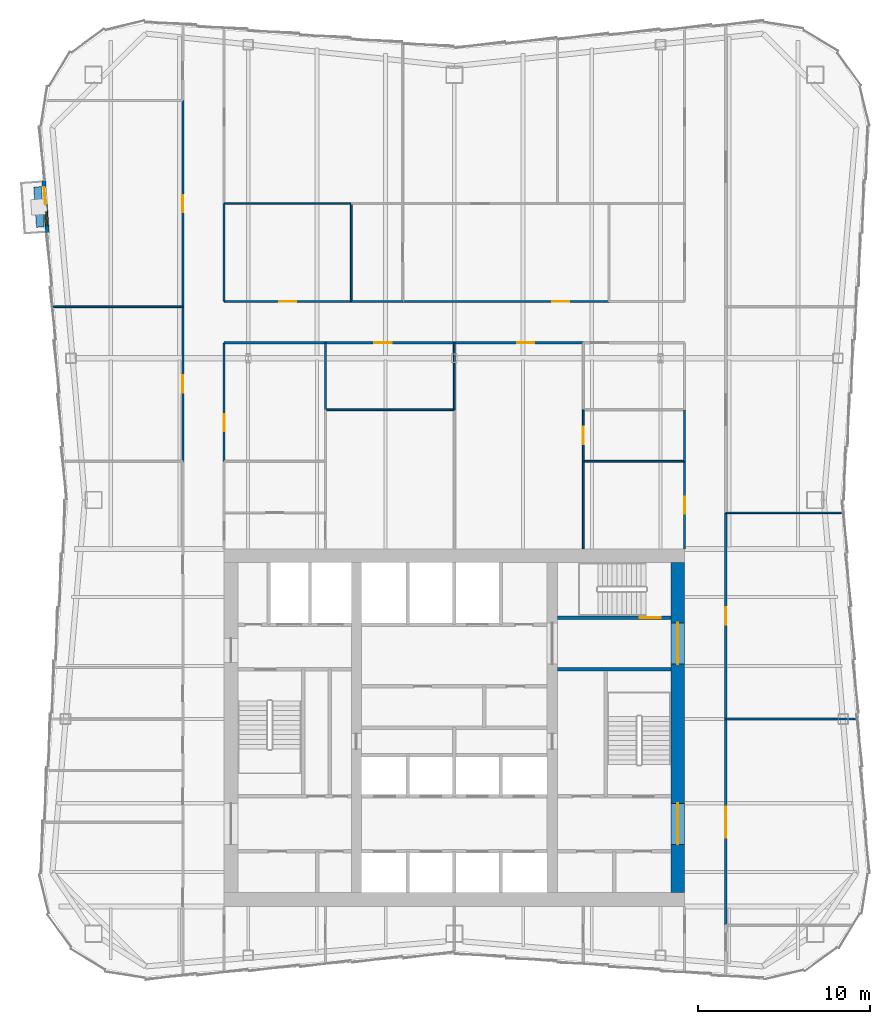
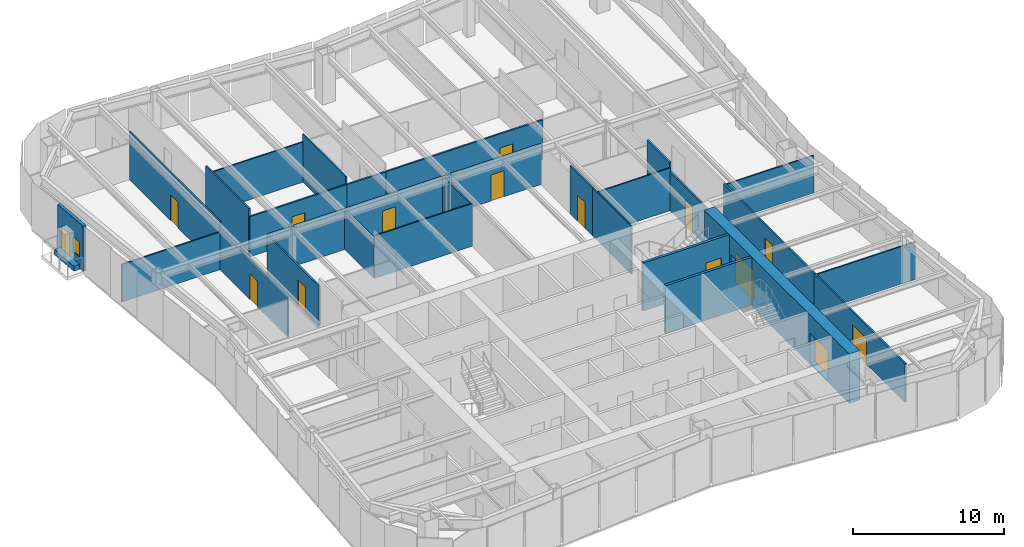
# One storey, part 8 of 11: 30 walls, 15 doors, 1 window, 16 openings.
"""IFC4 building model written with IfcOpenShell, lengths in metres."""

from ifc_helpers import new_model, si_unit, direction, frame, frame_2d, origin, place, context, subcontext, project, spatial, rectangle, extrude, material, layer, layer_set, type_object, element, fill, save


model = new_model("IFC4")

# Units and contexts
model_context = context("Model", 3, precision=1e-05, world=origin(), true_north=direction((0.0, 1.0)))
body_context = subcontext(model_context, "Body", "Model", "MODEL_VIEW")
ifc_project = project(units=[si_unit("LENGTHUNIT", "METRE"), si_unit("AREAUNIT", "SQUARE_METRE"), si_unit("VOLUMEUNIT", "CUBIC_METRE"), si_unit("PLANEANGLEUNIT", "RADIAN"), si_unit("MASSUNIT", "GRAM", prefix="KILO")], contexts=[model_context])

# Site, building, storey
site_placement = place(None, origin())
site = spatial("IfcSite", under=ifc_project, at=site_placement, CompositionType="ELEMENT")
building_placement = place(site_placement, origin())
building = spatial("IfcBuilding", under=site, at=building_placement, Name="Verdant Reach Tower", CompositionType="ELEMENT")
storey_placement = place(building_placement, frame((0.0, 0.0, 258.0)))
storey = spatial("IfcBuildingStorey", under=building, at=storey_placement, Name="L59", CompositionType="ELEMENT", Elevation=258.0)

# Wall
ifc_material_1 = material(Name="Concrete C40/50", Category="concrete")
ifc_layer_1 = layer(ifc_material_1, 0.199951171875)
ifc_layer_set_1 = layer_set([ifc_layer_1], Name="CO-WALL-STAIR")
wall_type_1 = type_object("IfcWallType", Name="CO-WALL-STAIR", PredefinedType="PARTITIONING", material=ifc_layer_set_1)
wall_1_placement = place(storey_placement, frame((6.0, 31.39990234375, 0.0), z_axis=(0.0, 0.0, 1.0), x_axis=(1.0, 0.0, 0.0)))
element("IfcWall", 1, at=wall_1_placement, inside=storey, type_object=wall_type_1, Name="Stair enclosure wall, L59", PredefinedType="PARTITIONING", context=body_context, shape_type="SweptSolid", body=[
    extrude(rectangle(XDim=6.60009765625, YDim=0.199951171875, at=frame_2d((3.300048828125, 0.0))), origin(), (0.0, 0.0, 1.0), 3.8701171875),
])

# Wall, opening, door
wall_2_placement = place(storey_placement, frame((6.0, 34.39990234375, 0.0), z_axis=(0.0, 0.0, 1.0), x_axis=(1.0, 0.0, 0.0)))
wall_2 = element("IfcWall", 2, at=wall_2_placement, inside=storey, type_object=wall_type_1, Name="Stair enclosure wall, L59", PredefinedType="PARTITIONING", context=body_context, shape_type="SweptSolid", body=[
    extrude(rectangle(XDim=6.60009765625, YDim=0.199951171875, at=frame_2d((3.300048828125, 0.0))), origin(), (0.0, 0.0, 1.0), 3.8701171875),
])
opening_1_placement = place(wall_2_placement, frame((4.800048828125, 0.0, 0.0)))
opening_1 = element("IfcOpeningElement", 3, at=opening_1_placement, cuts=wall_2, Name="Opening SD", PredefinedType="OPENING", context=body_context, shape_type="SweptSolid", body=[
    extrude(rectangle(XDim=1.199951171875, YDim=2.199951171875, at=frame_2d((0.60009765625, 1.10009765625))), frame((0.0, 0.10986328125, 0.0), z_axis=(0.0, -1.0, 0.0), x_axis=(1.0, 0.0, 0.0)), (0.0, 0.0, 1.0), 0.219970703125),
])
ifc_material_2 = material(Name="Steel", Category="steel")
door_type_1 = type_object("IfcDoorType", Name="CO-DOOR-STAIR", OperationType="NOTDEFINED", PredefinedType="DOOR", material=ifc_material_2)
door_1_placement = place(opening_1_placement, origin())
door_1 = element("IfcDoor", 4, at=door_1_placement, inside=storey, type_object=door_type_1, Name="Stair door, L59", OperationType="SINGLE_SWING_RIGHT", OverallHeight=2.199951171875, OverallWidth=1.199951171875, PredefinedType="DOOR", context=body_context, shape_type="SweptSolid", body=[
    extrude(rectangle(XDim=1.199951171875, YDim=2.199951171875, at=frame_2d((0.60009765625, 1.10009765625))), frame((0.0, 0.02490234375, 0.0), z_axis=(0.0, -1.0, 0.0), x_axis=(1.0, 0.0, 0.0)), (0.0, 0.0, 1.0), 0.050048828125),
])
fill(opening_1, door_1)

# Wall, openings, door, window
ifc_material_3 = material(Name="Insulated bronze aluminium panel wall", Category="aluminium")
ifc_layer_2 = layer(ifc_material_3, 0.219970703125)
ifc_layer_set_2 = layer_set([ifc_layer_2], Name="EN-INFILL WALL")
wall_type_2 = type_object("IfcWallType", Name="EN-INFILL WALL", PredefinedType="SOLIDWALL", material=ifc_layer_set_2)
wall_3_placement = place(storey_placement, frame((-23.89501953125, 59.851318359375, 0.0), z_axis=(0.0, 0.0, 1.0), x_axis=(0.06875808698, -0.99763336225, 0.0)))
wall_3 = element("IfcWall", 5, at=wall_3_placement, inside=storey, type_object=wall_type_2, Name="External infill wall, balcony bay 1, L59", PredefinedType="SOLIDWALL", context=body_context, shape_type="SweptSolid", body=[
    extrude(rectangle(XDim=3.046630859375, YDim=0.22412109375, at=frame_2d((1.5234375, 0.0))), origin(), (0.0, 0.0, 1.0), 3.64990234375),
])
opening_2_placement = place(wall_3_placement, frame((0.41552734375, 0.0, 0.0)))
opening_2 = element("IfcOpeningElement", 6, at=opening_2_placement, cuts=wall_3, Name="Opening BD1", PredefinedType="OPENING", context=body_context, shape_type="SweptSolid", body=[
    extrude(rectangle(XDim=1.0, YDim=2.10009765625, at=frame_2d((0.5, 1.050048828125))), frame((0.0, 0.1220703125, 0.0), z_axis=(0.0, -1.0, 0.0), x_axis=(1.0, 0.0, 0.0)), (0.0, 0.0, 1.0), 0.244140625),
])
opening_3_placement = place(wall_3_placement, frame((1.8310546875, 0.0, 0.89990234375)))
opening_3 = element("IfcOpeningElement", 7, at=opening_3_placement, cuts=wall_3, Name="Opening BW1", PredefinedType="OPENING", context=body_context, shape_type="SweptSolid", body=[
    extrude(rectangle(XDim=0.800048828125, YDim=1.199951171875, at=frame_2d((0.39990234375, 0.60009765625))), frame((0.0, 0.1220703125, 0.0), z_axis=(0.0, -1.0, 0.0), x_axis=(1.0, 0.0, 0.0)), (0.0, 0.0, 1.0), 0.244140625),
])
ifc_material_4 = material(Name="Aluminium framed glazed door", Category="aluminium")
door_type_2 = type_object("IfcDoorType", Name="EN-DOOR BALCONY", OperationType="NOTDEFINED", PredefinedType="DOOR", material=ifc_material_4)
door_2_placement = place(opening_2_placement, origin())
door_2 = element("IfcDoor", 8, at=door_2_placement, inside=storey, type_object=door_type_2, Name="Balcony door 1, L59", OperationType="SINGLE_SWING_LEFT", OverallHeight=2.10009765625, OverallWidth=1.0, PredefinedType="DOOR", context=body_context, shape_type="SweptSolid", body=[
    extrude(rectangle(XDim=1.0, YDim=2.10009765625, at=frame_2d((0.5, 1.050048828125))), frame((0.0, 0.02490234375, 0.0), z_axis=(0.0, -1.0, 0.0), x_axis=(1.0, 0.0, 0.0)), (0.0, 0.0, 1.0), 0.050048828125),
])
fill(opening_2, door_2)
ifc_material_5 = material(Name="Aluminium framed glazing", Category="aluminium")
window_type = type_object("IfcWindowType", Name="EN-WINDOW BALCONY", PartitioningType="SINGLE_PANEL", PredefinedType="WINDOW", material=ifc_material_5)
window_placement = place(opening_3_placement, origin())
window = element("IfcWindow", 9, at=window_placement, inside=storey, type_object=window_type, Name="Balcony window 1, L59", OverallHeight=1.199951171875, OverallWidth=0.800048828125, PartitioningType="SINGLE_PANEL", PredefinedType="WINDOW", context=body_context, shape_type="SweptSolid", body=[
    extrude(rectangle(XDim=0.800048828125, YDim=1.199951171875, at=frame_2d((0.39990234375, 0.60009765625))), frame((0.0, 0.030029296875, 0.0), z_axis=(0.0, -1.0, 0.0), x_axis=(1.0, 0.0, 0.0)), (0.0, 0.0, 1.0), 0.06005859375),
])
fill(opening_3, window)

# Walls
ifc_material_6 = material(Name="Precast concrete C30/37", Category="concrete")
ifc_layer_3 = layer(ifc_material_6, 0.449951171875)
ifc_layer_set_3 = layer_set([ifc_layer_3], Name="EN-PLANTER")
wall_type_3 = type_object("IfcWallType", Name="EN-PLANTER", PredefinedType="USERDEFINED", material=ifc_layer_set_3)
wall_4_placement = place(storey_placement, frame((-24.257080078125, 59.475341796875, 0.0), z_axis=(0.0, 0.0, 1.0), x_axis=(0.06877709495, -0.997632052016, 0.0)))
element("IfcWall", 10, at=wall_4_placement, inside=storey, type_object=wall_type_3, Name="Balcony planter 1, L59", ObjectType="PLANTER", PredefinedType="USERDEFINED", context=body_context, shape_type="SweptSolid", body=[
    extrude(rectangle(XDim=2.346435546875, YDim=0.449951171875, at=frame_2d((1.17333984375, 0.0))), origin(), (0.0, 0.0, 1.0), 0.39990234375),
])
ifc_material_7 = material(Name="Gypsum board on steel studs", Category="steel")
ifc_layer_4 = layer(ifc_material_7, 0.10009765625)
ifc_layer_set_4 = layer_set([ifc_layer_4], Name="FL-W1 Partition 100")
wall_type_4 = type_object("IfcWallType", Name="FL-W1 Partition 100", PredefinedType="PARTITIONING", material=ifc_layer_set_4)
wall_5_placement = place(storey_placement, frame((-15.800048828125, 52.5, 0.0), z_axis=(0.0, 0.0, 1.0), x_axis=(-1.0, 0.0, 0.0)))
element("IfcWall", 11, at=wall_5_placement, inside=storey, type_object=wall_type_4, Name="Partition 59.39", PredefinedType="PARTITIONING", context=body_context, shape_type="SweptSolid", body=[
    extrude(rectangle(XDim=7.555908203125, YDim=0.10009765625, at=frame_2d((3.77783203125, 0.0))), origin(), (0.0, 0.0, 1.0), 3.0400390625),
])
wall_6_placement = place(storey_placement, frame((23.459228515625, 28.5, 0.0), z_axis=(0.0, 0.0, 1.0), x_axis=(-1.0, 0.0, 0.0)))
element("IfcWall", 12, at=wall_6_placement, inside=storey, type_object=wall_type_4, Name="Partition 59.42", PredefinedType="PARTITIONING", context=body_context, shape_type="SweptSolid", body=[
    extrude(rectangle(XDim=7.6591796875, YDim=0.10009765625, at=frame_2d((3.82958984375, 0.0))), origin(), (0.0, 0.0, 1.0), 3.0400390625),
])
wall_7_placement = place(storey_placement, frame((22.631591796875, 40.5, 0.0), z_axis=(0.0, 0.0, 1.0), x_axis=(-1.0, 0.0, 0.0)))
element("IfcWall", 13, at=wall_7_placement, inside=storey, type_object=wall_type_4, Name="Partition 59.43", PredefinedType="PARTITIONING", context=body_context, shape_type="SweptSolid", body=[
    extrude(rectangle(XDim=6.83154296875, YDim=0.10009765625, at=frame_2d((3.415771484375, 0.0))), origin(), (0.0, 0.0, 1.0), 3.0400390625),
])
wall_8_placement = place(storey_placement, frame((-7.5, 46.5, 0.0), z_axis=(0.0, 0.0, 1.0), x_axis=(0.0, 1.0, 0.0)))
element("IfcWall", 14, at=wall_8_placement, inside=storey, type_object=wall_type_4, Name="Partition 59.53", PredefinedType="PARTITIONING", context=body_context, shape_type="SweptSolid", body=[
    extrude(rectangle(XDim=3.89990234375, YDim=0.10009765625, at=frame_2d((1.949951171875, 0.0))), origin(), (0.0, 0.0, 1.0), 3.239990234375),
])
wall_9_placement = place(storey_placement, frame((0.0, 46.5, 0.0), z_axis=(0.0, 0.0, 1.0), x_axis=(-1.0, 0.0, 0.0)))
element("IfcWall", 15, at=wall_9_placement, inside=storey, type_object=wall_type_4, Name="Partition 59.54", PredefinedType="PARTITIONING", context=body_context, shape_type="SweptSolid", body=[
    extrude(rectangle(XDim=7.5, YDim=0.10009765625, at=frame_2d((3.75, 0.0))), origin(), (0.0, 0.0, 1.0), 3.43994140625),
])
wall_10_placement = place(storey_placement, frame((0.0, 46.49609375, 0.0), z_axis=(0.0, 0.0, 1.0), x_axis=(0.0, 1.0, 0.0)))
element("IfcWall", 16, at=wall_10_placement, inside=storey, type_object=wall_type_4, Name="Partition 59.56", PredefinedType="PARTITIONING", context=body_context, shape_type="SweptSolid", body=[
    extrude(rectangle(XDim=3.90380859375, YDim=0.10009765625, at=frame_2d((1.951904296875, 0.0))), origin(), (0.0, 0.0, 1.0), 3.2900390625),
])
wall_11_placement = place(storey_placement, frame((13.39990234375, 43.5, 0.0), z_axis=(0.0, 0.0, 1.0), x_axis=(-1.0, 0.0, 0.0)))
element("IfcWall", 17, at=wall_11_placement, inside=storey, type_object=wall_type_4, Name="Partition 59.57", PredefinedType="PARTITIONING", context=body_context, shape_type="SweptSolid", body=[
    extrude(rectangle(XDim=5.89990234375, YDim=0.10009765625, at=frame_2d((2.949951171875, 0.0))), origin(), (0.0, 0.0, 1.0), 3.43994140625),
])
wall_12_placement = place(storey_placement, frame((7.5, 43.50390625, 0.0), z_axis=(0.0, 0.0, 1.0), x_axis=(0.0, -1.0, 0.0)))
element("IfcWall", 18, at=wall_12_placement, inside=storey, type_object=wall_type_4, Name="Partition 59.58", PredefinedType="PARTITIONING", context=body_context, shape_type="SweptSolid", body=[
    extrude(rectangle(XDim=5.10400390625, YDim=0.10009765625, at=frame_2d((2.552001953125, 0.0))), origin(), (0.0, 0.0, 1.0), 3.8701171875),
])

# Wall, opening, door
wall_13_placement = place(storey_placement, frame((7.5, 46.50390625, 0.0), z_axis=(0.0, 0.0, 1.0), x_axis=(0.0, -1.0, 0.0)))
wall_13 = element("IfcWall", 19, at=wall_13_placement, inside=storey, type_object=wall_type_4, Name="Partition 59.60", PredefinedType="PARTITIONING", context=body_context, shape_type="SweptSolid", body=[
    extrude(rectangle(XDim=3.0078125, YDim=0.10009765625, at=frame_2d((1.50390625, 0.0))), origin(), (0.0, 0.0, 1.0), 3.8701171875),
])
opening_4_placement = place(wall_13_placement, frame((1.00390625, 0.0, 0.0)))
opening_4 = element("IfcOpeningElement", 20, at=opening_4_placement, cuts=wall_13, Name="Opening D3", PredefinedType="OPENING", context=body_context, shape_type="SweptSolid", body=[
    extrude(rectangle(XDim=1.0, YDim=2.10009765625, at=frame_2d((0.5, 1.050048828125))), frame((0.0, 0.06005859375, 0.0), z_axis=(0.0, -1.0, 0.0), x_axis=(1.0, 0.0, 0.0)), (0.0, 0.0, 1.0), 0.1201171875),
])
ifc_material_8 = material(Name="Painted timber door leaf", Category="wood")
door_type_3 = type_object("IfcDoorType", Name="FL-D3 Door 1000x2100", OperationType="NOTDEFINED", PredefinedType="DOOR", material=ifc_material_8)
door_3_placement = place(opening_4_placement, origin())
door_3 = element("IfcDoor", 21, at=door_3_placement, inside=storey, type_object=door_type_3, Name="Door 59-031", OperationType="SINGLE_SWING_LEFT", OverallHeight=2.10009765625, OverallWidth=1.0, PredefinedType="DOOR", context=body_context, shape_type="SweptSolid", body=[
    extrude(rectangle(XDim=1.0, YDim=2.10009765625, at=frame_2d((0.5, 1.050048828125))), frame((0.0, 0.02490234375, 0.0), z_axis=(0.0, -1.0, 0.0), x_axis=(1.0, 0.0, 0.0)), (0.0, 0.0, 1.0), 0.050048828125),
])
fill(opening_4, door_3)

# Walls
wall_14_placement = place(storey_placement, frame((-6.0, 52.800048828125, 0.0), z_axis=(0.0, 0.0, 1.0), x_axis=(0.0, 1.0, 0.0)))
element("IfcWall", 22, at=wall_14_placement, inside=storey, type_object=wall_type_4, Name="Partition 59.62", PredefinedType="PARTITIONING", context=body_context, shape_type="SweptSolid", body=[
    extrude(rectangle(XDim=5.699951171875, YDim=0.10009765625, at=frame_2d((2.85009765625, 0.0))), origin(), (0.0, 0.0, 1.0), 3.8701171875),
])
wall_15_placement = place(storey_placement, frame((-5.99609375, 58.5, 0.0), z_axis=(0.0, 0.0, 1.0), x_axis=(-1.0, 0.0, 0.0)))
element("IfcWall", 23, at=wall_15_placement, inside=storey, type_object=wall_type_4, Name="Partition 59.63", PredefinedType="PARTITIONING", context=body_context, shape_type="SweptSolid", body=[
    extrude(rectangle(XDim=7.40380859375, YDim=0.10009765625, at=frame_2d((3.701904296875, 0.0))), origin(), (0.0, 0.0, 1.0), 3.239990234375),
])

# Wall, opening, door
ifc_material_9 = material(Name="Gypsum board on steel studs, fire rated", Category="steel")
ifc_layer_5 = layer(ifc_material_9, 0.125)
ifc_layer_set_5 = layer_set([ifc_layer_5], Name="FL-W2 Corridor wall 125")
wall_type_5 = type_object("IfcWallType", Name="FL-W2 Corridor wall 125", PredefinedType="PARTITIONING", material=ifc_layer_set_5)
wall_16_placement = place(storey_placement, frame((-15.800048828125, 43.5, 0.0), z_axis=(0.0, 0.0, 1.0), x_axis=(0.0, 1.0, 0.0)))
wall_16 = element("IfcWall", 24, at=wall_16_placement, inside=storey, type_object=wall_type_5, Name="Partition 59.06", PredefinedType="PARTITIONING", context=body_context, shape_type="SweptSolid", body=[
    extrude(rectangle(XDim=9.0, YDim=0.125, at=frame_2d((4.5, 0.0))), origin(), (0.0, 0.0, 1.0), 3.239990234375),
])
opening_5_placement = place(wall_16_placement, frame((4.0, 0.0, 0.0)))
opening_5 = element("IfcOpeningElement", 25, at=opening_5_placement, cuts=wall_16, Name="Opening D2", PredefinedType="OPENING", context=body_context, shape_type="SweptSolid", body=[
    extrude(rectangle(XDim=1.0, YDim=2.10009765625, at=frame_2d((0.5, 1.050048828125))), frame((0.0, 0.072509765625, 0.0), z_axis=(0.0, -1.0, 0.0), x_axis=(1.0, 0.0, 0.0)), (0.0, 0.0, 1.0), 0.14501953125),
])
ifc_material_10 = material(Name="Timber door leaf, fire rated", Category="wood")
door_type_4 = type_object("IfcDoorType", Name="FL-D2 Entrance door 1000x2100 FD30", OperationType="NOTDEFINED", PredefinedType="DOOR", material=ifc_material_10)
door_4_placement = place(opening_5_placement, origin())
door_4 = element("IfcDoor", 26, at=door_4_placement, inside=storey, type_object=door_type_4, Name="Door 59-006", OperationType="SINGLE_SWING_RIGHT", OverallHeight=2.10009765625, OverallWidth=1.0, PredefinedType="DOOR", context=body_context, shape_type="SweptSolid", body=[
    extrude(rectangle(XDim=1.0, YDim=2.10009765625, at=frame_2d((0.5, 1.050048828125))), frame((0.0, 0.02490234375, 0.0), z_axis=(0.0, -1.0, 0.0), x_axis=(1.0, 0.0, 0.0)), (0.0, 0.0, 1.0), 0.050048828125),
])
fill(opening_5, door_4)

wall_17_placement = place(storey_placement, frame((-15.800048828125, 52.5, 0.0), z_axis=(0.0, 0.0, 1.0), x_axis=(0.0, 1.0, 0.0)))
wall_17 = element("IfcWall", 27, at=wall_17_placement, inside=storey, type_object=wall_type_5, Name="Partition 59.07", PredefinedType="PARTITIONING", context=body_context, shape_type="SweptSolid", body=[
    extrude(rectangle(XDim=12.0, YDim=0.125, at=frame_2d((6.0, 0.0))), origin(), (0.0, 0.0, 1.0), 3.8701171875),
])
opening_6_placement = place(wall_17_placement, frame((5.5, 0.0, 0.0)))
opening_6 = element("IfcOpeningElement", 28, at=opening_6_placement, cuts=wall_17, Name="Opening D2", PredefinedType="OPENING", context=body_context, shape_type="SweptSolid", body=[
    extrude(rectangle(XDim=1.0, YDim=2.10009765625, at=frame_2d((0.5, 1.050048828125))), frame((0.0, 0.072509765625, 0.0), z_axis=(0.0, -1.0, 0.0), x_axis=(1.0, 0.0, 0.0)), (0.0, 0.0, 1.0), 0.14501953125),
])
door_5_placement = place(opening_6_placement, origin())
door_5 = element("IfcDoor", 29, at=door_5_placement, inside=storey, type_object=door_type_4, Name="Door 59-007", OperationType="SINGLE_SWING_LEFT", OverallHeight=2.10009765625, OverallWidth=1.0, PredefinedType="DOOR", context=body_context, shape_type="SweptSolid", body=[
    extrude(rectangle(XDim=1.0, YDim=2.10009765625, at=frame_2d((0.5, 1.050048828125))), frame((0.0, 0.02490234375, 0.0), z_axis=(0.0, -1.0, 0.0), x_axis=(1.0, 0.0, 0.0)), (0.0, 0.0, 1.0), 0.050048828125),
])
fill(opening_6, door_5)

wall_18_placement = place(storey_placement, frame((15.800048828125, 16.5, 0.0), z_axis=(0.0, 0.0, 1.0), x_axis=(0.0, 1.0, 0.0)))
wall_18 = element("IfcWall", 30, at=wall_18_placement, inside=storey, type_object=wall_type_5, Name="Partition 59.10", PredefinedType="PARTITIONING", context=body_context, shape_type="SweptSolid", body=[
    extrude(rectangle(XDim=12.0, YDim=0.125, at=frame_2d((6.0, 0.0))), origin(), (0.0, 0.0, 1.0), 3.139892578125),
])
opening_7_placement = place(wall_18_placement, frame((5.10009765625, 0.0, 0.0)))
opening_7 = element("IfcOpeningElement", 31, at=opening_7_placement, cuts=wall_18, Name="Opening D4", PredefinedType="OPENING", context=body_context, shape_type="SweptSolid", body=[
    extrude(rectangle(XDim=1.800048828125, YDim=2.10009765625, at=frame_2d((0.89990234375, 1.050048828125))), frame((0.0, 0.072509765625, 0.0), z_axis=(0.0, -1.0, 0.0), x_axis=(1.0, 0.0, 0.0)), (0.0, 0.0, 1.0), 0.14501953125),
])
ifc_material_11 = material(Name="Timber door leaves, fire rated", Category="wood")
door_type_5 = type_object("IfcDoorType", Name="FL-D4 Double door 1800x2100 FD30", OperationType="DOUBLE_DOOR_SINGLE_SWING", PredefinedType="DOOR", material=ifc_material_11)
door_6_placement = place(opening_7_placement, origin())
door_6 = element("IfcDoor", 32, at=door_6_placement, inside=storey, type_object=door_type_5, Name="Door 59-010", OperationType="DOUBLE_DOOR_SINGLE_SWING", OverallHeight=2.10009765625, OverallWidth=1.800048828125, PredefinedType="DOOR", context=body_context, shape_type="SweptSolid", body=[
    extrude(rectangle(XDim=1.800048828125, YDim=2.10009765625, at=frame_2d((0.89990234375, 1.050048828125))), frame((0.0, 0.02490234375, 0.0), z_axis=(0.0, -1.0, 0.0), x_axis=(1.0, 0.0, 0.0)), (0.0, 0.0, 1.0), 0.050048828125),
])
fill(opening_7, door_6)

wall_19_placement = place(storey_placement, frame((15.800048828125, 40.5, 0.0), z_axis=(0.0, 0.0, 1.0), x_axis=(0.0, -1.0, 0.0)))
wall_19 = element("IfcWall", 33, at=wall_19_placement, inside=storey, type_object=wall_type_5, Name="Partition 59.11", PredefinedType="PARTITIONING", context=body_context, shape_type="SweptSolid", body=[
    extrude(rectangle(XDim=12.0, YDim=0.125, at=frame_2d((6.0, 0.0))), origin(), (0.0, 0.0, 1.0), 3.139892578125),
])
opening_8_placement = place(wall_19_placement, frame((5.5, 0.0, 0.0)))
opening_8 = element("IfcOpeningElement", 34, at=opening_8_placement, cuts=wall_19, Name="Opening D2", PredefinedType="OPENING", context=body_context, shape_type="SweptSolid", body=[
    extrude(rectangle(XDim=1.0, YDim=2.10009765625, at=frame_2d((0.5, 1.050048828125))), frame((0.0, 0.072509765625, 0.0), z_axis=(0.0, -1.0, 0.0), x_axis=(1.0, 0.0, 0.0)), (0.0, 0.0, 1.0), 0.14501953125),
])
door_7_placement = place(opening_8_placement, origin())
door_7 = element("IfcDoor", 35, at=door_7_placement, inside=storey, type_object=door_type_4, Name="Door 59-011", OperationType="SINGLE_SWING_LEFT", OverallHeight=2.10009765625, OverallWidth=1.0, PredefinedType="DOOR", context=body_context, shape_type="SweptSolid", body=[
    extrude(rectangle(XDim=1.0, YDim=2.10009765625, at=frame_2d((0.5, 1.050048828125))), frame((0.0, 0.02490234375, 0.0), z_axis=(0.0, -1.0, 0.0), x_axis=(1.0, 0.0, 0.0)), (0.0, 0.0, 1.0), 0.050048828125),
])
fill(opening_8, door_7)

wall_20_placement = place(storey_placement, frame((-13.39990234375, 50.39990234375, 0.0), z_axis=(0.0, 0.0, 1.0), x_axis=(0.0, -1.0, 0.0)))
wall_20 = element("IfcWall", 36, at=wall_20_placement, inside=storey, type_object=wall_type_5, Name="Partition 59.18", PredefinedType="PARTITIONING", context=body_context, shape_type="SweptSolid", body=[
    extrude(rectangle(XDim=6.89990234375, YDim=0.125, at=frame_2d((3.449951171875, 0.0))), origin(), (0.0, 0.0, 1.0), 3.239990234375),
])
opening_9_placement = place(wall_20_placement, frame((4.14990234375, 0.0, 0.0)))
opening_9 = element("IfcOpeningElement", 37, at=opening_9_placement, cuts=wall_20, Name="Opening D2", PredefinedType="OPENING", context=body_context, shape_type="SweptSolid", body=[
    extrude(rectangle(XDim=1.0, YDim=2.10009765625, at=frame_2d((0.5, 1.050048828125))), frame((0.0, 0.072509765625, 0.0), z_axis=(0.0, -1.0, 0.0), x_axis=(1.0, 0.0, 0.0)), (0.0, 0.0, 1.0), 0.14501953125),
])
door_8_placement = place(opening_9_placement, origin())
door_8 = element("IfcDoor", 38, at=door_8_placement, inside=storey, type_object=door_type_4, Name="Door 59-017", OperationType="SINGLE_SWING_RIGHT", OverallHeight=2.10009765625, OverallWidth=1.0, PredefinedType="DOOR", context=body_context, shape_type="SweptSolid", body=[
    extrude(rectangle(XDim=1.0, YDim=2.10009765625, at=frame_2d((0.5, 1.050048828125))), frame((0.0, 0.02490234375, 0.0), z_axis=(0.0, -1.0, 0.0), x_axis=(1.0, 0.0, 0.0)), (0.0, 0.0, 1.0), 0.050048828125),
])
fill(opening_9, door_8)

# Wall
wall_21_placement = place(storey_placement, frame((-7.5, 50.39990234375, 0.0), z_axis=(0.0, 0.0, 1.0), x_axis=(-1.0, 0.0, 0.0)))
element("IfcWall", 39, at=wall_21_placement, inside=storey, type_object=wall_type_5, Name="Partition 59.19", PredefinedType="PARTITIONING", context=body_context, shape_type="SweptSolid", body=[
    extrude(rectangle(XDim=5.89990234375, YDim=0.125, at=frame_2d((2.949951171875, 0.0))), origin(), (0.0, 0.0, 1.0), 3.239990234375),
])

# Wall, opening, door
wall_22_placement = place(storey_placement, frame((0.0, 50.39990234375, 0.0), z_axis=(0.0, 0.0, 1.0), x_axis=(-1.0, 0.0, 0.0)))
wall_22 = element("IfcWall", 40, at=wall_22_placement, inside=storey, type_object=wall_type_5, Name="Partition 59.20", PredefinedType="PARTITIONING", context=body_context, shape_type="SweptSolid", body=[
    extrude(rectangle(XDim=7.5, YDim=0.125, at=frame_2d((3.75, 0.0))), origin(), (0.0, 0.0, 1.0), 3.239990234375),
])
opening_10_placement = place(wall_22_placement, frame((3.64990234375, 0.0, 0.0)))
opening_10 = element("IfcOpeningElement", 41, at=opening_10_placement, cuts=wall_22, Name="Opening D2", PredefinedType="OPENING", context=body_context, shape_type="SweptSolid", body=[
    extrude(rectangle(XDim=1.0, YDim=2.10009765625, at=frame_2d((0.5, 1.050048828125))), frame((0.0, 0.072509765625, 0.0), z_axis=(0.0, -1.0, 0.0), x_axis=(1.0, 0.0, 0.0)), (0.0, 0.0, 1.0), 0.14501953125),
])
door_9_placement = place(opening_10_placement, origin())
door_9 = element("IfcDoor", 42, at=door_9_placement, inside=storey, type_object=door_type_4, Name="Door 59-018", OperationType="SINGLE_SWING_RIGHT", OverallHeight=2.10009765625, OverallWidth=1.0, PredefinedType="DOOR", context=body_context, shape_type="SweptSolid", body=[
    extrude(rectangle(XDim=1.0, YDim=2.10009765625, at=frame_2d((0.5, 1.050048828125))), frame((0.0, 0.02490234375, 0.0), z_axis=(0.0, -1.0, 0.0), x_axis=(1.0, 0.0, 0.0)), (0.0, 0.0, 1.0), 0.050048828125),
])
fill(opening_10, door_9)

wall_23_placement = place(storey_placement, frame((13.39990234375, 38.39990234375, 0.0), z_axis=(0.0, 0.0, 1.0), x_axis=(0.0, 1.0, 0.0)))
wall_23 = element("IfcWall", 43, at=wall_23_placement, inside=storey, type_object=wall_type_5, Name="Partition 59.21", PredefinedType="PARTITIONING", context=body_context, shape_type="SweptSolid", body=[
    extrude(rectangle(XDim=5.10009765625, YDim=0.125, at=frame_2d((2.550048828125, 0.0))), origin(), (0.0, 0.0, 1.0), 3.139892578125),
])
opening_11_placement = place(wall_23_placement, frame((2.050048828125, 0.0, 0.0)))
opening_11 = element("IfcOpeningElement", 44, at=opening_11_placement, cuts=wall_23, Name="Opening D2", PredefinedType="OPENING", context=body_context, shape_type="SweptSolid", body=[
    extrude(rectangle(XDim=1.0, YDim=2.10009765625, at=frame_2d((0.5, 1.050048828125))), frame((0.0, 0.072509765625, 0.0), z_axis=(0.0, -1.0, 0.0), x_axis=(1.0, 0.0, 0.0)), (0.0, 0.0, 1.0), 0.14501953125),
])
door_10_placement = place(opening_11_placement, origin())
door_10 = element("IfcDoor", 45, at=door_10_placement, inside=storey, type_object=door_type_4, Name="Door 59-019", OperationType="SINGLE_SWING_LEFT", OverallHeight=2.10009765625, OverallWidth=1.0, PredefinedType="DOOR", context=body_context, shape_type="SweptSolid", body=[
    extrude(rectangle(XDim=1.0, YDim=2.10009765625, at=frame_2d((0.5, 1.050048828125))), frame((0.0, 0.02490234375, 0.0), z_axis=(0.0, -1.0, 0.0), x_axis=(1.0, 0.0, 0.0)), (0.0, 0.0, 1.0), 0.050048828125),
])
fill(opening_11, door_10)

# Wall
wall_24_placement = place(storey_placement, frame((13.39990234375, 43.5, 0.0), z_axis=(0.0, 0.0, 1.0), x_axis=(0.0, 1.0, 0.0)))
element("IfcWall", 46, at=wall_24_placement, inside=storey, type_object=wall_type_5, Name="Partition 59.22", PredefinedType="PARTITIONING", context=body_context, shape_type="SweptSolid", body=[
    extrude(rectangle(XDim=3.0, YDim=0.125, at=frame_2d((1.5, 0.0))), origin(), (0.0, 0.0, 1.0), 3.8701171875),
])

# Wall, opening, door
wall_25_placement = place(storey_placement, frame((7.5, 50.39990234375, 0.0), z_axis=(0.0, 0.0, 1.0), x_axis=(-1.0, 0.0, 0.0)))
wall_25 = element("IfcWall", 47, at=wall_25_placement, inside=storey, type_object=wall_type_5, Name="Partition 59.25", PredefinedType="PARTITIONING", context=body_context, shape_type="SweptSolid", body=[
    extrude(rectangle(XDim=7.5, YDim=0.125, at=frame_2d((3.75, 0.0))), origin(), (0.0, 0.0, 1.0), 3.239990234375),
])
opening_12_placement = place(wall_25_placement, frame((2.85009765625, 0.0, 0.0)))
opening_12 = element("IfcOpeningElement", 48, at=opening_12_placement, cuts=wall_25, Name="Opening D2", PredefinedType="OPENING", context=body_context, shape_type="SweptSolid", body=[
    extrude(rectangle(XDim=1.0, YDim=2.10009765625, at=frame_2d((0.5, 1.050048828125))), frame((0.0, 0.072509765625, 0.0), z_axis=(0.0, -1.0, 0.0), x_axis=(1.0, 0.0, 0.0)), (0.0, 0.0, 1.0), 0.14501953125),
])
door_11_placement = place(opening_12_placement, origin())
door_11 = element("IfcDoor", 49, at=door_11_placement, inside=storey, type_object=door_type_4, Name="Door 59-021", OperationType="SINGLE_SWING_LEFT", OverallHeight=2.10009765625, OverallWidth=1.0, PredefinedType="DOOR", context=body_context, shape_type="SweptSolid", body=[
    extrude(rectangle(XDim=1.0, YDim=2.10009765625, at=frame_2d((0.5, 1.050048828125))), frame((0.0, 0.02490234375, 0.0), z_axis=(0.0, -1.0, 0.0), x_axis=(1.0, 0.0, 0.0)), (0.0, 0.0, 1.0), 0.050048828125),
])
fill(opening_12, door_11)

wall_26_placement = place(storey_placement, frame((-13.39990234375, 52.800048828125, 0.0), z_axis=(0.0, 0.0, 1.0), x_axis=(1.0, 0.0, 0.0)))
wall_26 = element("IfcWall", 50, at=wall_26_placement, inside=storey, type_object=wall_type_5, Name="Partition 59.26", PredefinedType="PARTITIONING", context=body_context, shape_type="SweptSolid", body=[
    extrude(rectangle(XDim=7.39990234375, YDim=0.125, at=frame_2d((3.699951171875, 0.0))), origin(), (0.0, 0.0, 1.0), 3.239990234375),
])
opening_13_placement = place(wall_26_placement, frame((3.199951171875, 0.0, 0.0)))
opening_13 = element("IfcOpeningElement", 51, at=opening_13_placement, cuts=wall_26, Name="Opening D2", PredefinedType="OPENING", context=body_context, shape_type="SweptSolid", body=[
    extrude(rectangle(XDim=1.0, YDim=2.10009765625, at=frame_2d((0.5, 1.050048828125))), frame((0.0, 0.072509765625, 0.0), z_axis=(0.0, -1.0, 0.0), x_axis=(1.0, 0.0, 0.0)), (0.0, 0.0, 1.0), 0.14501953125),
])
door_12_placement = place(opening_13_placement, origin())
door_12 = element("IfcDoor", 52, at=door_12_placement, inside=storey, type_object=door_type_4, Name="Door 59-022", OperationType="SINGLE_SWING_RIGHT", OverallHeight=2.10009765625, OverallWidth=1.0, PredefinedType="DOOR", context=body_context, shape_type="SweptSolid", body=[
    extrude(rectangle(XDim=1.0, YDim=2.10009765625, at=frame_2d((0.5, 1.050048828125))), frame((0.0, 0.02490234375, 0.0), z_axis=(0.0, -1.0, 0.0), x_axis=(1.0, 0.0, 0.0)), (0.0, 0.0, 1.0), 0.050048828125),
])
fill(opening_13, door_12)

# Walls
wall_27_placement = place(storey_placement, frame((-13.39990234375, 52.800048828125, 0.0), z_axis=(0.0, 0.0, 1.0), x_axis=(0.0, 1.0, 0.0)))
element("IfcWall", 53, at=wall_27_placement, inside=storey, type_object=wall_type_5, Name="Partition 59.27", PredefinedType="PARTITIONING", context=body_context, shape_type="SweptSolid", body=[
    extrude(rectangle(XDim=5.699951171875, YDim=0.125, at=frame_2d((2.85009765625, 0.0))), origin(), (0.0, 0.0, 1.0), 3.8701171875),
])
wall_28_placement = place(storey_placement, frame((-3.0, 52.800048828125, 0.0), z_axis=(0.0, 0.0, 1.0), x_axis=(-1.0, 0.0, 0.0)))
element("IfcWall", 54, at=wall_28_placement, inside=storey, type_object=wall_type_5, Name="Partition 59.28", PredefinedType="PARTITIONING", context=body_context, shape_type="SweptSolid", body=[
    extrude(rectangle(XDim=3.0, YDim=0.125, at=frame_2d((1.5, 0.0))), origin(), (0.0, 0.0, 1.0), 3.239990234375),
])

# Wall, opening, door
wall_29_placement = place(storey_placement, frame((9.0, 52.800048828125, 0.0), z_axis=(0.0, 0.0, 1.0), x_axis=(-1.0, 0.0, 0.0)))
wall_29 = element("IfcWall", 55, at=wall_29_placement, inside=storey, type_object=wall_type_5, Name="Partition 59.29", PredefinedType="PARTITIONING", context=body_context, shape_type="SweptSolid", body=[
    extrude(rectangle(XDim=12.0, YDim=0.125, at=frame_2d((6.0, 0.0))), origin(), (0.0, 0.0, 1.0), 3.239990234375),
])
opening_14_placement = place(wall_29_placement, frame((2.300048828125, 0.0, 0.0)))
opening_14 = element("IfcOpeningElement", 56, at=opening_14_placement, cuts=wall_29, Name="Opening D2", PredefinedType="OPENING", context=body_context, shape_type="SweptSolid", body=[
    extrude(rectangle(XDim=1.0, YDim=2.10009765625, at=frame_2d((0.5, 1.050048828125))), frame((0.0, 0.072509765625, 0.0), z_axis=(0.0, -1.0, 0.0), x_axis=(1.0, 0.0, 0.0)), (0.0, 0.0, 1.0), 0.14501953125),
])
door_13_placement = place(opening_14_placement, origin())
door_13 = element("IfcDoor", 57, at=door_13_placement, inside=storey, type_object=door_type_4, Name="Door 59-023", OperationType="SINGLE_SWING_LEFT", OverallHeight=2.10009765625, OverallWidth=1.0, PredefinedType="DOOR", context=body_context, shape_type="SweptSolid", body=[
    extrude(rectangle(XDim=1.0, YDim=2.10009765625, at=frame_2d((0.5, 1.050048828125))), frame((0.0, 0.02490234375, 0.0), z_axis=(0.0, -1.0, 0.0), x_axis=(1.0, 0.0, 0.0)), (0.0, 0.0, 1.0), 0.050048828125),
])
fill(opening_14, door_13)

# Wall, openings, doors
ifc_material_12 = material(Name="Concrete C70/85", Category="concrete")
ifc_layer_6 = layer(ifc_material_12, 0.800048828125)
ifc_layer_set_6 = layer_set([ifc_layer_6], Name="ST-CORE-WALL-800")
wall_type_6 = type_object("IfcWallType", Name="ST-CORE-WALL-800", PredefinedType="SHEAR", material=ifc_layer_set_6)
wall_30_placement = place(storey_placement, frame((13.0, 18.39990234375, -0.1298828125), z_axis=(0.0, 0.0, 1.0), x_axis=(0.0, 1.0, 0.0)))
wall_30 = element("IfcWall", 58, at=wall_30_placement, inside=storey, type_object=wall_type_6, Name="Core wall E, L59", PredefinedType="SHEAR", context=body_context, shape_type="SweptSolid", body=[
    extrude(rectangle(XDim=19.2001953125, YDim=0.800048828125, at=frame_2d((9.60009765625, 0.0))), origin(), (0.0, 0.0, 1.0), 4.0),
])
opening_15_placement = place(wall_30_placement, frame((2.800048828125, 0.0, 0.1298828125)))
opening_15 = element("IfcOpeningElement", 59, at=opening_15_placement, cuts=wall_30, Name="Opening LB", PredefinedType="OPENING", context=body_context, shape_type="SweptSolid", body=[
    extrude(rectangle(XDim=2.39990234375, YDim=2.39990234375, at=frame_2d((1.199951171875, 1.199951171875))), frame((0.0, 0.409912109375, 0.0), z_axis=(0.0, -1.0, 0.0), x_axis=(1.0, 0.0, 0.0)), (0.0, 0.0, 1.0), 0.820068359375),
])
opening_16_placement = place(wall_30_placement, frame((13.300048828125, 0.0, 0.1298828125)))
opening_16 = element("IfcOpeningElement", 60, at=opening_16_placement, cuts=wall_30, Name="Opening LB", PredefinedType="OPENING", context=body_context, shape_type="SweptSolid", body=[
    extrude(rectangle(XDim=2.39990234375, YDim=2.39990234375, at=frame_2d((1.199951171875, 1.199951171875))), frame((0.0, 0.409912109375, 0.0), z_axis=(0.0, -1.0, 0.0), x_axis=(1.0, 0.0, 0.0)), (0.0, 0.0, 1.0), 0.820068359375),
])
ifc_material_13 = material(Name="Glass and steel", Category="steel")
door_type_6 = type_object("IfcDoorType", Name="CO-DOOR-LOBBY", OperationType="DOUBLE_DOOR_SINGLE_SWING", PredefinedType="DOOR", material=ifc_material_13)
door_14_placement = place(opening_15_placement, origin())
door_14 = element("IfcDoor", 61, at=door_14_placement, inside=storey, type_object=door_type_6, Name="Core entrance door, L59", OperationType="DOUBLE_DOOR_SINGLE_SWING", OverallHeight=2.39990234375, OverallWidth=2.39990234375, PredefinedType="DOOR", context=body_context, shape_type="SweptSolid", body=[
    extrude(rectangle(XDim=2.39990234375, YDim=2.39990234375, at=frame_2d((1.199951171875, 1.199951171875))), frame((0.0, 0.02490234375, 0.0), z_axis=(0.0, -1.0, 0.0), x_axis=(1.0, 0.0, 0.0)), (0.0, 0.0, 1.0), 0.050048828125),
])
fill(opening_15, door_14)
door_15_placement = place(opening_16_placement, origin())
door_15 = element("IfcDoor", 62, at=door_15_placement, inside=storey, type_object=door_type_6, Name="Core entrance door, L59", OperationType="DOUBLE_DOOR_SINGLE_SWING", OverallHeight=2.39990234375, OverallWidth=2.39990234375, PredefinedType="DOOR", context=body_context, shape_type="SweptSolid", body=[
    extrude(rectangle(XDim=2.39990234375, YDim=2.39990234375, at=frame_2d((1.199951171875, 1.199951171875))), frame((0.0, 0.02490234375, 0.0), z_axis=(0.0, -1.0, 0.0), x_axis=(1.0, 0.0, 0.0)), (0.0, 0.0, 1.0), 0.050048828125),
])
fill(opening_16, door_15)

save(model, "model.ifc")
